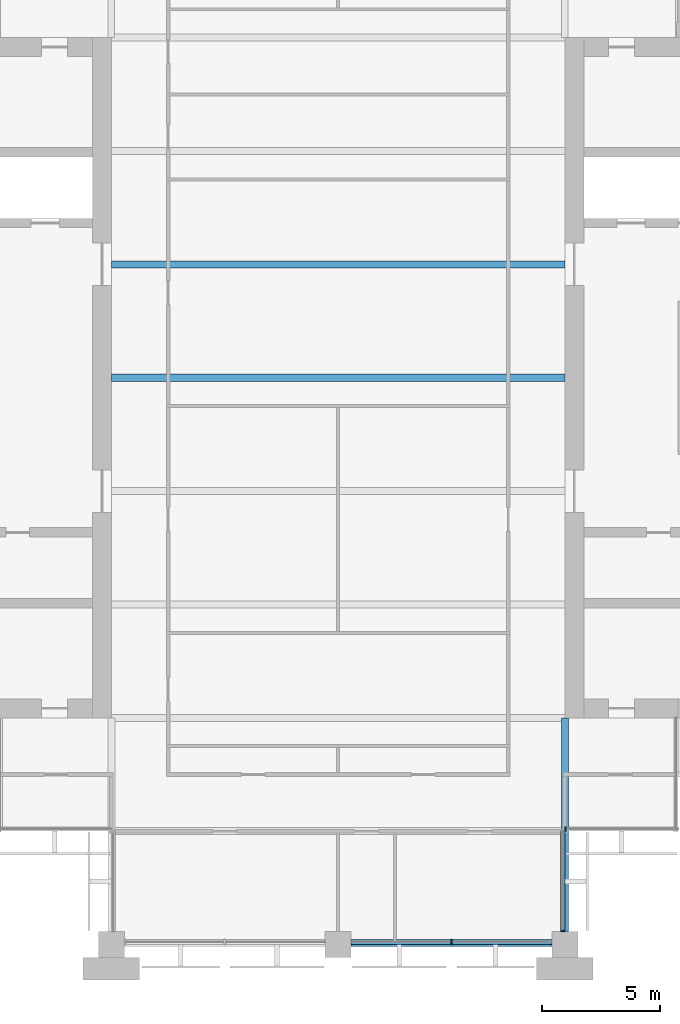
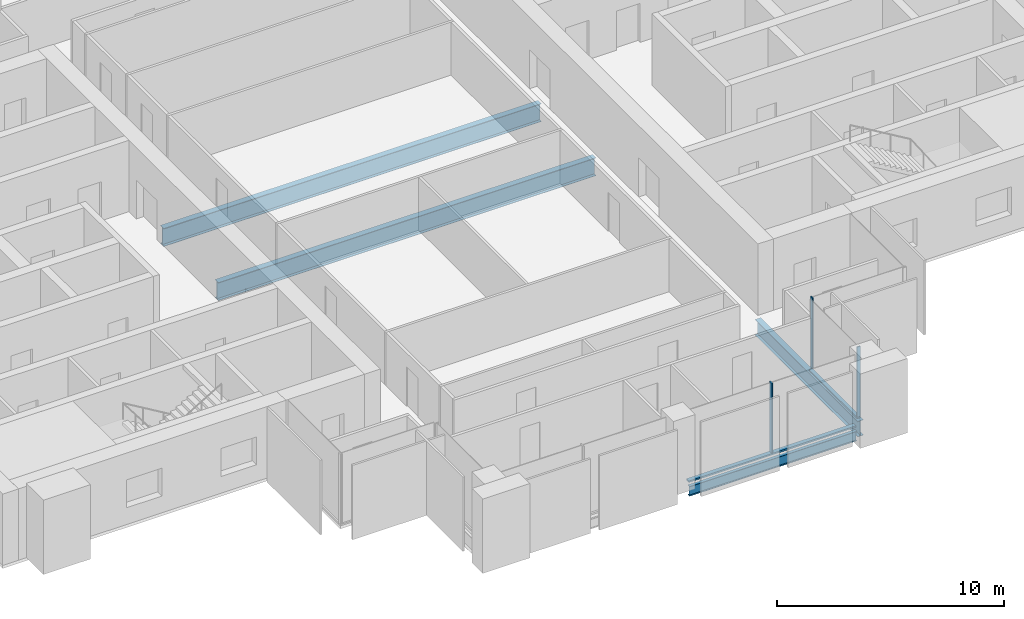
# One storey, part 3 of 13: 5 members, 4 beams, 3 elements without a shape of their own.
"""IFC4 building model written with IfcOpenShell, lengths in metres."""

from ifc_helpers import new_model, si_unit, direction, frame, origin, origin_2d, place, context, subcontext, project, spatial, rectangle, i_section, extrude, material, material_profile, profile_set, type_object, element, aggregate, save


model = new_model("IFC4")

# Units and contexts
model_context = context("Model", 3, precision=1e-05, world=origin(), true_north=direction((0.0, 1.0)))
body_context = subcontext(model_context, "Body", "Model", "MODEL_VIEW")
ifc_project = project(units=[si_unit("LENGTHUNIT", "METRE"), si_unit("AREAUNIT", "SQUARE_METRE"), si_unit("VOLUMEUNIT", "CUBIC_METRE"), si_unit("PLANEANGLEUNIT", "RADIAN"), si_unit("MASSUNIT", "GRAM", prefix="KILO")], contexts=[model_context])

# Site, building, storey
site_placement = place(None, origin())
site = spatial("IfcSite", under=ifc_project, at=site_placement, CompositionType="ELEMENT")
building_placement = place(site_placement, origin())
building = spatial("IfcBuilding", under=site, at=building_placement, Name="Baori Bourse Tower", CompositionType="ELEMENT")
storey_placement = place(building_placement, frame((0.0, 0.0, 241.199951171875)))
storey = spatial("IfcBuildingStorey", under=building, at=storey_placement, Name="L53", CompositionType="ELEMENT", Elevation=241.199951171875)

# Curtain wall, member
ifc_material_1 = material(Name="Pale anodised aluminium", Category="aluminium")
curtain_wall_type_1 = type_object("IfcCurtainWallType", Name="CW2 Curtain wall", PredefinedType="NOTDEFINED", material=ifc_material_1)
curtain_wall_1_placement = place(storey_placement, origin())
curtain_wall_1 = element("IfcCurtainWall", 1, at=curtain_wall_1_placement, inside=storey, type_object=curtain_wall_type_1, Name="Curtain wall CW2 L53 12", PredefinedType="NOTDEFINED")
ifc_material_2 = material(Name="Pale anodised aluminium", Category="aluminium")
ifc_material_profile_1 = material_profile(ifc_material_2, rectangle(XDim=0.179931640625, YDim=0.054931640625, at=origin_2d()), Name="Mullion 55x180")
ifc_profile_set_1 = profile_set([ifc_material_profile_1], Name="Pale anodised aluminium")
member_type_1 = type_object("IfcMemberType", Name="CW2 Curtain wall mullion", PredefinedType="MULLION", material=ifc_profile_set_1)
member_1_placement = place(storey_placement, frame((38.31005859375, 0.577392578125, 0.070068359375), z_axis=(0.0, 0.0, 1.0), x_axis=(-1.0, 0.0, 0.0)))
member_1 = element("IfcMember", 2, at=member_1_placement, type_object=member_type_1, Name="Curtain wall CW2 mullion", PredefinedType="MULLION", context=body_context, shape_type="SweptSolid", body=[
    extrude(rectangle(XDim=0.179931640625, YDim=0.054931640625, at=origin_2d()), origin(), (0.0, 0.0, 1.0), 3.77001953125),
])

curtain_wall_2_placement = place(storey_placement, origin())
curtain_wall_2 = element("IfcCurtainWall", 3, at=curtain_wall_2_placement, inside=storey, type_object=curtain_wall_type_1, Name="Curtain wall CW2 L53 13", PredefinedType="NOTDEFINED")
member_2_placement = place(storey_placement, frame((38.427490234375, 4.889892578125, 0.070068359375), z_axis=(0.0, 0.0, 1.0), x_axis=(0.0, 1.0, 0.0)))
member_2 = element("IfcMember", 4, at=member_2_placement, type_object=member_type_1, Name="Curtain wall CW2 mullion", PredefinedType="MULLION", context=body_context, shape_type="SweptSolid", body=[
    extrude(rectangle(XDim=0.179931640625, YDim=0.054931640625, at=origin_2d()), origin(), (0.0, 0.0, 1.0), 3.77001953125),
])
aggregate(curtain_wall_2, [member_2])

# Member
ifc_material_3 = material(Name="Pale anodised aluminium", Category="aluminium")
ifc_material_profile_2 = material_profile(ifc_material_3, rectangle(XDim=0.179931640625, YDim=0.070068359375, at=origin_2d()), Name="Transom 70x180")
ifc_profile_set_2 = profile_set([ifc_material_profile_2], Name="Pale anodised aluminium")
member_type_2 = type_object("IfcMemberType", Name="CW2 Curtain wall transom", PredefinedType="USERDEFINED", material=ifc_profile_set_2)
member_3_placement = place(storey_placement, frame((38.31005859375, 0.550048828125, 0.03515625), z_axis=(0.0, 1.0, 0.0), x_axis=(-1.0, 0.0, 0.0)))
member_3 = element("IfcMember", 5, at=member_3_placement, type_object=member_type_2, Name="Curtain wall CW2 sill rail", ObjectType="TRANSOM", PredefinedType="USERDEFINED", context=body_context, shape_type="SweptSolid", body=[
    extrude(rectangle(XDim=0.179931640625, YDim=0.070068359375, at=origin_2d()), origin(), (0.0, 0.0, 1.0), 4.25),
])

aggregate(curtain_wall_1, [member_3, member_1])

# Curtain wall, members
ifc_material_4 = material(Name="Pale anodised aluminium", Category="aluminium")
curtain_wall_type_2 = type_object("IfcCurtainWallType", Name="CW5 Curtain wall", PredefinedType="NOTDEFINED", material=ifc_material_4)
curtain_wall_3_placement = place(storey_placement, origin())
curtain_wall_3 = element("IfcCurtainWall", 6, at=curtain_wall_3_placement, inside=storey, type_object=curtain_wall_type_2, Name="Curtain wall CW5 L53 11", PredefinedType="NOTDEFINED")
ifc_material_5 = material(Name="Pale anodised aluminium", Category="aluminium")
ifc_material_profile_3 = material_profile(ifc_material_5, rectangle(XDim=0.219970703125, YDim=0.06494140625, at=origin_2d()), Name="Mullion 65x220")
ifc_profile_set_3 = profile_set([ifc_material_profile_3], Name="Pale anodised aluminium")
member_type_3 = type_object("IfcMemberType", Name="CW5 Curtain wall mullion", PredefinedType="MULLION", material=ifc_profile_set_3)
member_4_placement = place(storey_placement, frame((33.60009765625, 0.110107421875, 0.0849609375), z_axis=(0.0, 0.0, 1.0), x_axis=(0.0, 1.0, 0.0)))
member_4 = element("IfcMember", 7, at=member_4_placement, type_object=member_type_3, Name="Curtain wall CW5 mullion", PredefinedType="MULLION", context=body_context, shape_type="SweptSolid", body=[
    extrude(rectangle(XDim=0.219970703125, YDim=0.06494140625, at=origin_2d()), origin(), (0.0, 0.0, 1.0), 3.755126953125),
])
ifc_material_6 = material(Name="Pale anodised aluminium", Category="aluminium")
ifc_material_profile_4 = material_profile(ifc_material_6, rectangle(XDim=0.219970703125, YDim=0.0849609375, at=origin_2d()), Name="Transom 85x220")
ifc_profile_set_4 = profile_set([ifc_material_profile_4], Name="Pale anodised aluminium")
member_type_4 = type_object("IfcMemberType", Name="CW5 Curtain wall transom", PredefinedType="USERDEFINED", material=ifc_profile_set_4)
member_5_placement = place(storey_placement, frame((29.35009765625, 0.110107421875, 0.04248046875), z_axis=(1.0, 0.0, 0.0), x_axis=(0.0, 1.0, 0.0)))
member_5 = element("IfcMember", 8, at=member_5_placement, type_object=member_type_4, Name="Curtain wall CW5 sill rail", ObjectType="TRANSOM", PredefinedType="USERDEFINED", context=body_context, shape_type="SweptSolid", body=[
    extrude(rectangle(XDim=0.219970703125, YDim=0.0849609375, at=origin_2d()), origin(), (0.0, 0.0, 1.0), 8.5),
])
aggregate(curtain_wall_3, [member_5, member_4])

# Beams
ifc_material_7 = material(Name="Steel A992 Gr 50", Category="steel")
ifc_material_profile_5 = material_profile(ifc_material_7, i_section(OverallWidth=0.1650390625, OverallDepth=0.52587890625, WebThickness=0.0087890625, FlangeThickness=0.011474609375, at=origin_2d()), Name="W21x44")
ifc_profile_set_5 = profile_set([ifc_material_profile_5], Name="Steel A992 Gr 50")
beam_type_1 = type_object("IfcBeamType", Name="Edge beam W21x44", PredefinedType="BEAM", material=ifc_profile_set_5)
beam_1_placement = place(storey_placement, frame((29.35009765625, 0.0, -0.4228515625), z_axis=(1.0, 0.0, 0.0), x_axis=(0.0, 1.0, 0.0)))
element("IfcBeam", 9, at=beam_1_placement, inside=storey, type_object=beam_type_1, Name="Edge beam L53", PredefinedType="BEAM", context=body_context, shape_type="SweptSolid", body=[
    extrude(i_section(OverallWidth=0.1650390625, OverallDepth=0.52587890625, WebThickness=0.0087890625, FlangeThickness=0.011474609375, at=origin_2d()), origin(), (0.0, 0.0, 1.0), 8.5),
])
ifc_material_8 = material(Name="Steel A992 Gr 50", Category="steel")
ifc_material_profile_6 = material_profile(ifc_material_8, i_section(OverallWidth=0.2998046875, OverallDepth=0.97021484375, WebThickness=0.01611328125, FlangeThickness=0.02099609375, at=origin_2d()), Name="W40x149")
ifc_profile_set_6 = profile_set([ifc_material_profile_6], Name="Steel A992 Gr 50")
beam_type_2 = type_object("IfcBeamType", Name="Floor beam W40x149", PredefinedType="BEAM", material=ifc_profile_set_6)
for number, where, z_axis, x_axis, name in (
    (10, (19.199951171875, 24.0, -0.64501953125), (1.0, 0.0, 0.0), (0.0, 1.0, 0.0), "Floor beam L53"),
    (11, (19.199951171875, 28.800048828125, -0.64501953125), (1.0, 0.0, 0.0), (0.0, 1.0, 0.0), "Floor beam L53"),
):
    element("IfcBeam", number, at=place(storey_placement, frame(where, z_axis=z_axis, x_axis=x_axis)), inside=storey, type_object=beam_type_2, Name=name, PredefinedType="BEAM", context=body_context, shape_type="SweptSolid", body=[
        extrude(i_section(OverallWidth=0.2998046875, OverallDepth=0.97021484375, WebThickness=0.01611328125, FlangeThickness=0.02099609375, at=origin_2d()), origin(), (0.0, 0.0, 1.0), 19.199951171875),
    ])
ifc_material_9 = material(Name="Steel A992 Gr 50", Category="steel")
ifc_material_profile_7 = material_profile(ifc_material_9, i_section(OverallWidth=0.2919921875, OverallDepth=0.835693359375, WebThickness=0.013916015625, FlangeThickness=0.018798828125, at=origin_2d()), Name="W33x118")
ifc_profile_set_7 = profile_set([ifc_material_profile_7], Name="Steel A992 Gr 50")
beam_type_3 = type_object("IfcBeamType", Name="Girder W33x118", PredefinedType="BEAM", material=ifc_profile_set_7)
beam_2_placement = place(storey_placement, frame((38.39990234375, 0.550048828125, -0.577880859375), z_axis=(0.0, 1.0, 0.0), x_axis=(-1.0, 0.0, 0.0)))
element("IfcBeam", 12, at=beam_2_placement, inside=storey, type_object=beam_type_3, Name="Girder L53", PredefinedType="BEAM", context=body_context, shape_type="SweptSolid", body=[
    extrude(i_section(OverallWidth=0.2919921875, OverallDepth=0.835693359375, WebThickness=0.013916015625, FlangeThickness=0.018798828125, at=origin_2d()), origin(), (0.0, 0.0, 1.0), 9.050048828125),
])

save(model, "model.ifc")
